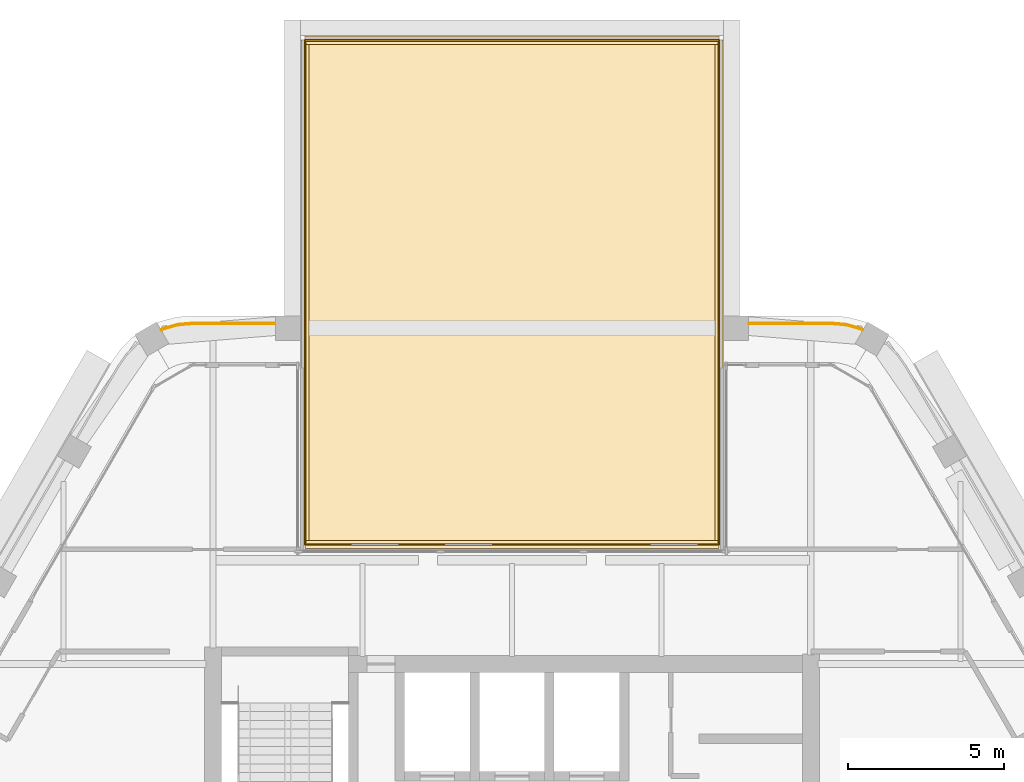
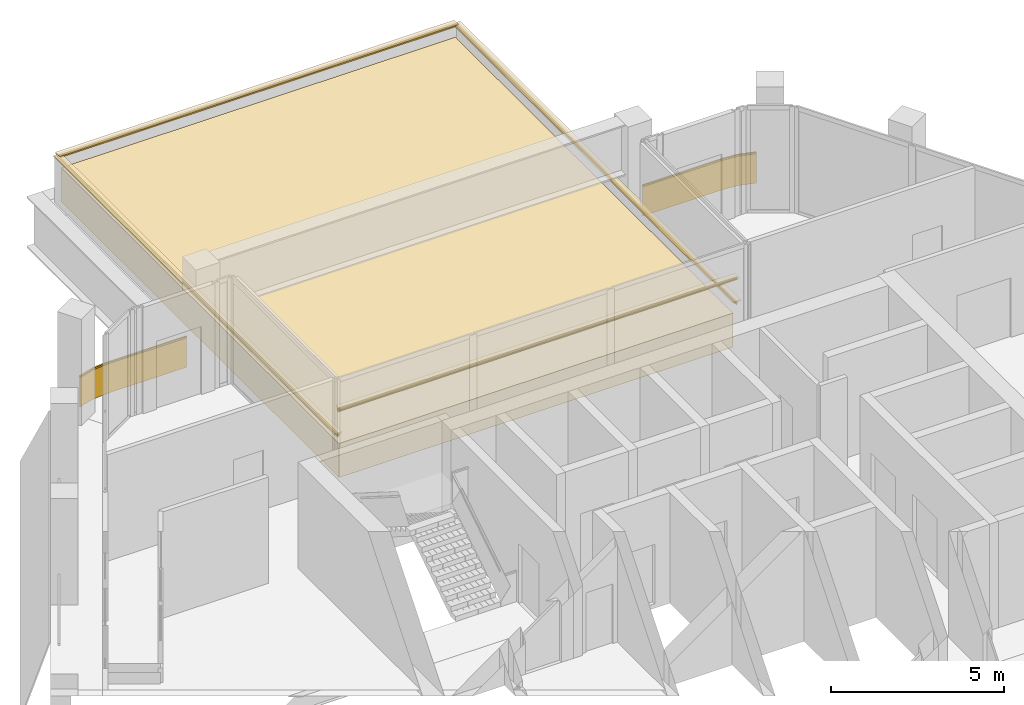
# One storey, part 16 of 16: 5 coverings, 5 railings.
"""IFC4 building model written with IfcOpenShell, lengths in metres."""

from ifc_helpers import new_model, si_unit, direction, frame, frame_2d, origin, origin_2d, place, context, subcontext, project, spatial, polyline, rectangle, outline, extrude, material, layer, layer_set, type_object, element, save


model = new_model("IFC4")

# Units and contexts
model_context = context("Model", 3, precision=1e-05, world=origin(), true_north=direction((0.0, 1.0)))
body_context = subcontext(model_context, "Body", "Model", "MODEL_VIEW")
ifc_project = project(units=[si_unit("LENGTHUNIT", "METRE"), si_unit("AREAUNIT", "SQUARE_METRE"), si_unit("VOLUMEUNIT", "CUBIC_METRE"), si_unit("PLANEANGLEUNIT", "RADIAN"), si_unit("MASSUNIT", "GRAM", prefix="KILO")], contexts=[model_context])

# Site, building, storey
site_placement = place(None, origin())
site = spatial("IfcSite", under=ifc_project, at=site_placement, CompositionType="ELEMENT")
building_placement = place(site_placement, origin())
building = spatial("IfcBuilding", under=site, at=building_placement, Name="Kolab Exchange Tower", CompositionType="ELEMENT")
storey_placement = place(building_placement, frame((0.0, 0.0, 269.60009765625)))
storey = spatial("IfcBuildingStorey", under=building, at=storey_placement, Name="L60", CompositionType="ELEMENT", Elevation=269.60009765625)

# Railings
ifc_material_1 = material(Name="Steel S235", Category="steel")
railing_type_1 = type_object("IfcRailingType", Name="GUARD 1100 GLASS BALUSTRADE AND STEEL TOP RAIL", PredefinedType="GUARDRAIL", material=ifc_material_1)
railing_1_placement = place(storey_placement, frame((11.280517578125, 20.335205078125, 0.0)))
element("IfcRailing", 1, at=railing_1_placement, inside=storey, type_object=railing_type_1, Name="Guard", PredefinedType="GUARDRAIL", context=body_context, shape_type="SweptSolid", body=[
    extrude(rectangle(XDim=0.05, YDim=0.05, at=origin_2d()), frame((0.0, 0.0, 1.0751953125), z_axis=(-0.959212061764, 0.282687496304, 0.0), x_axis=(-0.282687496304, -0.959212061764, 0.0)), (0.0, 0.0, 1.0), 0.557861328125),
    extrude(rectangle(XDim=0.012, YDim=1.05009765625, at=frame_2d((0.0, 0.525146484375))), frame((0.0, 0.0, 0.0), z_axis=(-0.959212061764, 0.282687496304, 0.0), x_axis=(-0.282687496304, -0.959212061764, 0.0)), (0.0, 0.0, 1.0), 0.557861328125),
    extrude(rectangle(XDim=0.05, YDim=0.05, at=origin_2d()), frame((-0.53515625, 0.15771484375, 1.0751953125), z_axis=(-0.996196482496, 0.087135344505, 0.0), x_axis=(-0.087135344505, -0.996196482496, 0.0)), (0.0, 0.0, 1.0), 0.47900390625),
    extrude(rectangle(XDim=0.012, YDim=1.05009765625, at=frame_2d((0.0, 0.525146484375))), frame((-0.53515625, 0.15771484375, 0.0), z_axis=(-0.996196482496, 0.087135344505, 0.0), x_axis=(-0.087135344505, -0.996196482496, 0.0)), (0.0, 0.0, 1.0), 0.47900390625),
    extrude(rectangle(XDim=0.05, YDim=0.05, at=origin_2d()), frame((-1.012451171875, 0.199462890625, 1.0751953125), z_axis=(-1.0, 0.0, 0.0), x_axis=(0.0, -1.0, 0.0)), (0.0, 0.0, 1.0), 2.66796875),
    extrude(rectangle(XDim=0.012, YDim=1.05009765625, at=frame_2d((0.0, 0.525146484375))), frame((-1.012451171875, 0.199462890625, 0.0), z_axis=(-1.0, 0.0, 0.0), x_axis=(0.0, -1.0, 0.0)), (0.0, 0.0, 1.0), 2.66796875),
    extrude(rectangle(XDim=0.05, YDim=0.05, at=origin_2d()), frame((-18.880615234375, 0.199462890625, 1.0751953125), z_axis=(-1.0, 0.0, 0.0), x_axis=(0.0, -1.0, 0.0)), (0.0, 0.0, 1.0), 2.66796875),
    extrude(rectangle(XDim=0.012, YDim=1.05009765625, at=frame_2d((0.0, 0.525146484375))), frame((-18.880615234375, 0.199462890625, 0.0), z_axis=(-1.0, 0.0, 0.0), x_axis=(0.0, -1.0, 0.0)), (0.0, 0.0, 1.0), 2.66796875),
    extrude(rectangle(XDim=0.05, YDim=0.05, at=origin_2d()), frame((-21.548583984375, 0.199462890625, 1.0751953125), z_axis=(-0.996196482496, -0.087135344505, 0.0), x_axis=(0.087135344505, -0.996196482496, 0.0)), (0.0, 0.0, 1.0), 0.47900390625),
    extrude(rectangle(XDim=0.012, YDim=1.05009765625, at=frame_2d((0.0, 0.525146484375))), frame((-21.548583984375, 0.199462890625, 0.0), z_axis=(-0.996196482496, -0.087135344505, 0.0), x_axis=(0.087135344505, -0.996196482496, 0.0)), (0.0, 0.0, 1.0), 0.47900390625),
    extrude(rectangle(XDim=0.05, YDim=0.05, at=origin_2d()), frame((-22.02587890625, 0.15771484375, 1.0751953125), z_axis=(-0.959212061764, -0.282687496304, 0.0), x_axis=(0.282687496304, -0.959212061764, 0.0)), (0.0, 0.0, 1.0), 0.557861328125),
    extrude(rectangle(XDim=0.012, YDim=1.05009765625, at=frame_2d((0.0, 0.525146484375))), frame((-22.02587890625, 0.15771484375, 0.0), z_axis=(-0.959212061764, -0.282687496304, 0.0), x_axis=(0.282687496304, -0.959212061764, 0.0)), (0.0, 0.0, 1.0), 0.557861328125),
])
railing_type_2 = type_object("IfcRailingType", Name="POOL WALL HANDRAIL 100", PredefinedType="HANDRAIL", material=ifc_material_1)
railing_2_placement = place(storey_placement, frame((-6.64990234375, 13.4345703125, 1.5)))
element("IfcRailing", 2, at=railing_2_placement, inside=storey, type_object=railing_type_2, Name="Pool wall handrail", PredefinedType="HANDRAIL", context=body_context, shape_type="SweptSolid", body=[
    extrude(rectangle(XDim=0.05, YDim=0.05, at=origin_2d()), frame((0.0, 0.0, 0.0751953125), z_axis=(0.0, 1.0, 0.0), x_axis=(-1.0, 0.0, 0.0)), (0.0, 0.0, 1.0), 16.199951171875),
    extrude(rectangle(XDim=0.012, YDim=0.05009765625, at=frame_2d((0.0, 0.025146484375))), frame((0.0, 0.0, 0.0), z_axis=(0.0, 1.0, 0.0), x_axis=(-1.0, 0.0, 0.0)), (0.0, 0.0, 1.0), 16.199951171875),
])
railing_3_placement = place(storey_placement, frame((-6.64990234375, 29.634521484375, 1.5)))
element("IfcRailing", 3, at=railing_3_placement, inside=storey, type_object=railing_type_2, Name="Pool wall handrail", PredefinedType="HANDRAIL", context=body_context, shape_type="SweptSolid", body=[
    extrude(rectangle(XDim=0.05, YDim=0.05, at=origin_2d()), frame((0.0, 0.0, 0.0751953125), z_axis=(1.0, 0.0, 0.0), x_axis=(0.0, 1.0, 0.0)), (0.0, 0.0, 1.0), 13.2998046875),
    extrude(rectangle(XDim=0.012, YDim=0.05009765625, at=frame_2d((0.0, 0.025146484375))), frame((0.0, 0.0, 0.0), z_axis=(1.0, 0.0, 0.0), x_axis=(0.0, 1.0, 0.0)), (0.0, 0.0, 1.0), 13.2998046875),
])
railing_4_placement = place(storey_placement, frame((6.64990234375, 29.634521484375, 1.5)))
element("IfcRailing", 4, at=railing_4_placement, inside=storey, type_object=railing_type_2, Name="Pool wall handrail", PredefinedType="HANDRAIL", context=body_context, shape_type="SweptSolid", body=[
    extrude(rectangle(XDim=0.05, YDim=0.05, at=origin_2d()), frame((0.0, 0.0, 0.0751953125), z_axis=(0.0, -1.0, 0.0), x_axis=(1.0, 0.0, 0.0)), (0.0, 0.0, 1.0), 16.199951171875),
    extrude(rectangle(XDim=0.012, YDim=0.05009765625, at=frame_2d((0.0, 0.025146484375))), frame((0.0, 0.0, 0.0), z_axis=(0.0, -1.0, 0.0), x_axis=(1.0, 0.0, 0.0)), (0.0, 0.0, 1.0), 16.199951171875),
])
railing_5_placement = place(storey_placement, frame((6.64990234375, 13.4345703125, 2.39990234375)))
element("IfcRailing", 5, at=railing_5_placement, inside=storey, type_object=railing_type_2, Name="Pool wall handrail", PredefinedType="HANDRAIL", context=body_context, shape_type="SweptSolid", body=[
    extrude(rectangle(XDim=0.05, YDim=0.05, at=origin_2d()), frame((0.0, 0.0, 0.0751953125), z_axis=(-1.0, 0.0, 0.0), x_axis=(0.0, -1.0, 0.0)), (0.0, 0.0, 1.0), 13.2998046875),
    extrude(rectangle(XDim=0.012, YDim=0.05009765625, at=frame_2d((0.0, 0.025146484375))), frame((0.0, 0.0, 0.0), z_axis=(-1.0, 0.0, 0.0), x_axis=(0.0, -1.0, 0.0)), (0.0, 0.0, 1.0), 13.2998046875),
])

# Coverings
ifc_material_2 = material(Name="Pool water", Category="water")
ifc_layer_1 = layer(ifc_material_2, 1.0)
ifc_layer_set_1 = layer_set([ifc_layer_1], Name="Pool water")
covering_type_1 = type_object("IfcCoveringType", Name="SKY POOL WATER BODY", PredefinedType="USERDEFINED", material=ifc_layer_set_1)
covering_1_placement = place(storey_placement, origin())
element("IfcCovering", 6, at=covering_1_placement, inside=storey, type_object=covering_type_1, Name="Sky pool water", ObjectType="POOL WATER", PredefinedType="USERDEFINED", context=body_context, shape_type="SweptSolid", body=[
    extrude(outline(polyline([(-6.570068359375, 13.5146484375), (-6.570068359375, 29.5546875), (6.570068359375, 29.5546875), (6.570068359375, 13.5146484375), (-6.570068359375, 13.5146484375)])), origin(), (0.0, 0.0, 1.0), 1.199951171875),
])
ifc_material_3 = material(Name="Limestone coping", Category="masonry")
ifc_layer_2 = layer(ifc_material_3, 0.050048828125)
ifc_layer_set_2 = layer_set([ifc_layer_2], Name="Limestone coping")
covering_type_2 = type_object("IfcCoveringType", Name="TERRACE EDGE BAND LIMESTONE 50", PredefinedType="CLADDING", material=ifc_layer_set_2)
covering_2_placement = place(storey_placement, frame((0.0, 0.0, 1.599853515625)))
element("IfcCovering", 7, at=covering_2_placement, inside=storey, type_object=covering_type_2, Name="Pool coping", PredefinedType="CLADDING", context=body_context, shape_type="SweptSolid", body=[
    extrude(outline(polyline([(-6.780029296875, 29.634521484375), (-6.52001953125, 29.634521484375), (-6.52001953125, 13.4345703125), (-6.780029296875, 13.4345703125), (-6.780029296875, 29.634521484375)])), origin(), (0.0, 0.0, 1.0), 0.050048828125),
])
covering_3_placement = place(storey_placement, frame((0.0, 0.0, 1.599853515625)))
element("IfcCovering", 8, at=covering_3_placement, inside=storey, type_object=covering_type_2, Name="Pool coping", PredefinedType="CLADDING", context=body_context, shape_type="SweptSolid", body=[
    extrude(outline(polyline([(6.64990234375, 29.7646484375), (6.64990234375, 29.504638671875), (-6.64990234375, 29.504638671875), (-6.64990234375, 29.7646484375), (6.64990234375, 29.7646484375)])), origin(), (0.0, 0.0, 1.0), 0.050048828125),
])
covering_4_placement = place(storey_placement, frame((0.0, 0.0, 1.599853515625)))
element("IfcCovering", 9, at=covering_4_placement, inside=storey, type_object=covering_type_2, Name="Pool coping", PredefinedType="CLADDING", context=body_context, shape_type="SweptSolid", body=[
    extrude(outline(polyline([(6.780029296875, 13.4345703125), (6.52001953125, 13.4345703125), (6.52001953125, 29.634521484375), (6.780029296875, 29.634521484375), (6.780029296875, 13.4345703125)])), origin(), (0.0, 0.0, 1.0), 0.050048828125),
])
covering_5_placement = place(storey_placement, frame((0.0, 0.0, 2.5)))
element("IfcCovering", 10, at=covering_5_placement, inside=storey, type_object=covering_type_2, Name="Pool coping", PredefinedType="CLADDING", context=body_context, shape_type="SweptSolid", body=[
    extrude(outline(polyline([(-6.64990234375, 13.3046875), (-6.64990234375, 13.564697265625), (6.64990234375, 13.564697265625), (6.64990234375, 13.3046875), (-6.64990234375, 13.3046875)])), origin(), (0.0, 0.0, 1.0), 0.0498046875),
])

save(model, "model.ifc")
